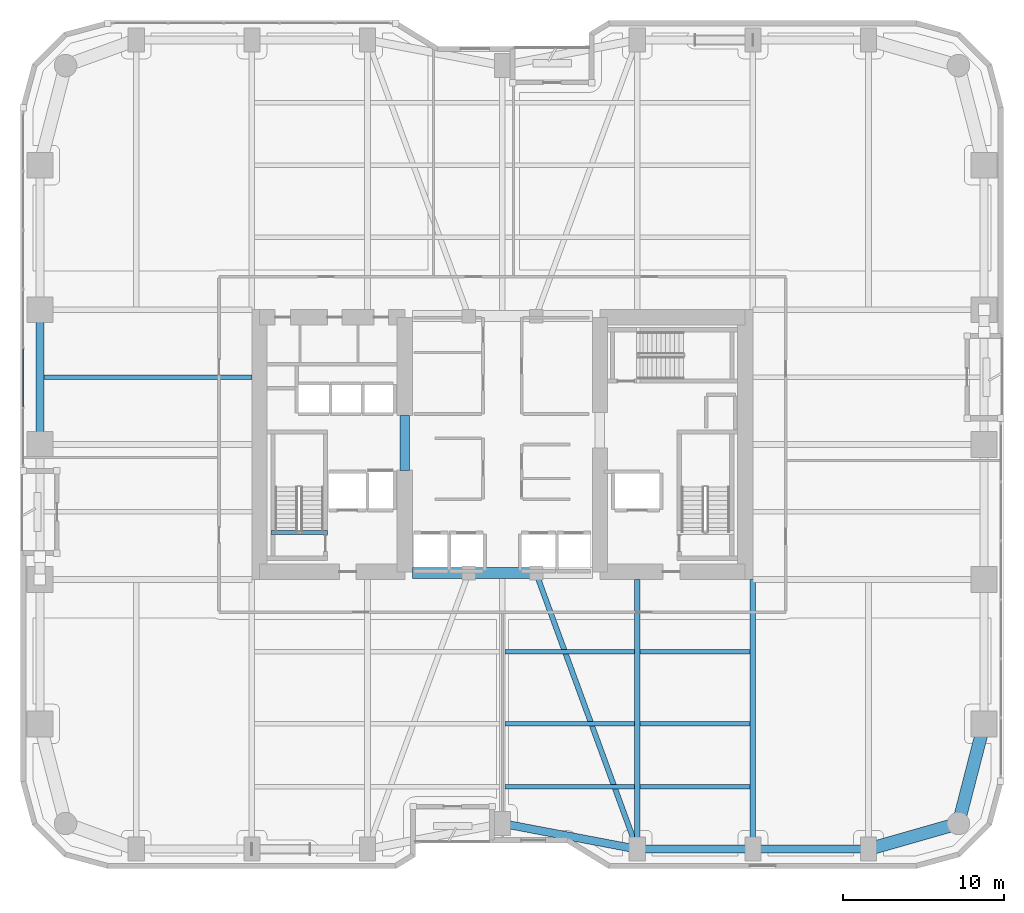
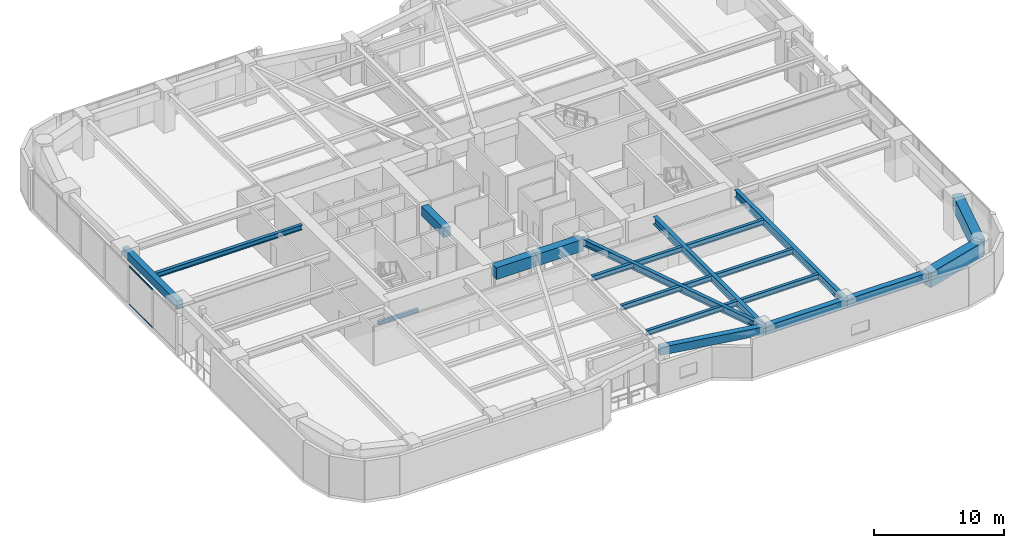
# One storey, part 3 of 29: 20 beams, 2 members, 1 element without a shape of its own.
"""IFC4 building model written with IfcOpenShell, lengths in metres."""

from ifc_helpers import new_model, si_unit, direction, frame, origin, origin_2d, place, context, subcontext, project, spatial, rectangle, hollow_rectangle, i_section, extrude, material, layer, layer_set, material_profile, profile_set, type_object, element, aggregate, save


model = new_model("IFC4")

# Units and contexts
model_context = context("Model", 3, precision=1e-05, world=origin(), true_north=direction((0.0, 1.0)))
body_context = subcontext(model_context, "Body", "Model", "MODEL_VIEW")
ifc_project = project(units=[si_unit("LENGTHUNIT", "METRE"), si_unit("AREAUNIT", "SQUARE_METRE"), si_unit("VOLUMEUNIT", "CUBIC_METRE"), si_unit("PLANEANGLEUNIT", "RADIAN"), si_unit("MASSUNIT", "GRAM", prefix="KILO")], contexts=[model_context])

# Site, building, storey
site_placement = place(None, origin())
site = spatial("IfcSite", under=ifc_project, at=site_placement, CompositionType="ELEMENT")
building_placement = place(site_placement, origin())
building = spatial("IfcBuilding", under=site, at=building_placement, Name="Kiyonajd Concourse Tower", CompositionType="ELEMENT")
storey_placement = place(building_placement, frame((0.0, 0.0, 25.5)))
storey = spatial("IfcBuildingStorey", under=building, at=storey_placement, Name="L07", CompositionType="ELEMENT", Elevation=25.5)

# Beams
ifc_material_1 = material(Name="Concrete C70/85", Category="concrete")
ifc_material_profile_1 = material_profile(ifc_material_1, rectangle(XDim=0.699951171875, YDim=1.10009765625, at=origin_2d()), Name="RCBM-700x1100")
ifc_profile_set_1 = profile_set([ifc_material_profile_1], Name="Concrete C70/85")
beam_type_1 = type_object("IfcBeamType", Name="BM-COUP-1100", PredefinedType="LINTEL", material=ifc_profile_set_1)
beam_1_placement = place(storey_placement, frame((42.39990234375, 28.0, 3.090087890625), z_axis=(1.0, 0.0, 0.0), x_axis=(0.0, 1.0, 0.0)))
element("IfcBeam", 1, at=beam_1_placement, inside=storey, type_object=beam_type_1, Name="L07 Core Coupling Beam S1", PredefinedType="LINTEL", context=body_context, shape_type="SweptSolid", body=[
    extrude(rectangle(XDim=0.699951171875, YDim=1.10009765625, at=origin_2d()), origin(), (0.0, 0.0, 1.0), 3.5),
])
beam_2_placement = place(storey_placement, frame((45.89990234375, 28.0, 3.090087890625), z_axis=(1.0, 0.0, 0.0), x_axis=(0.0, 1.0, 0.0)))
element("IfcBeam", 2, at=beam_2_placement, inside=storey, type_object=beam_type_1, Name="L07 Core Coupling Beam S2", PredefinedType="LINTEL", context=body_context, shape_type="SweptSolid", body=[
    extrude(rectangle(XDim=0.699951171875, YDim=1.10009765625, at=origin_2d()), origin(), (0.0, 0.0, 1.0), 4.2001953125),
])
ifc_material_2 = material(Name="Concrete C60/75", Category="concrete")
ifc_material_profile_2 = material_profile(ifc_material_2, rectangle(XDim=0.60009765625, YDim=0.89990234375, at=origin_2d()), Name="RCBM-600x900")
ifc_profile_set_2 = profile_set([ifc_material_profile_2], Name="Concrete C60/75")
beam_type_2 = type_object("IfcBeamType", Name="BM-COUP-900", PredefinedType="LINTEL", material=ifc_profile_set_2)
beam_3_placement = place(storey_placement, frame((41.925048828125, 34.39990234375, 3.090087890625), z_axis=(0.0, 1.0, 0.0), x_axis=(-1.0, 0.0, 0.0)))
element("IfcBeam", 3, at=beam_3_placement, inside=storey, type_object=beam_type_2, Name="L07 West Core Throat Coupling Lintel", PredefinedType="LINTEL", context=body_context, shape_type="SweptSolid", body=[
    extrude(rectangle(XDim=0.60009765625, YDim=0.89990234375, at=origin_2d()), origin(), (0.0, 0.0, 1.0), 3.400146484375),
])
ifc_material_3 = material(Name="Steel ASTM A992 Grade 50", Category="steel")
ifc_material_profile_3 = material_profile(ifc_material_3, i_section(OverallWidth=0.280029296875, OverallDepth=0.462890625, WebThickness=0.0107421875, FlangeThickness=0.017333984375, at=origin_2d()), Name="W460X113")
ifc_profile_set_3 = profile_set([ifc_material_profile_3], Name="Steel ASTM A992 Grade 50")
beam_type_3 = type_object("IfcBeamType", Name="BM-JST-460A", PredefinedType="JOIST", material=ifc_profile_set_3)
beam_4_placement = place(storey_placement, frame((48.177490234375, 14.699951171875, 3.408447265625), z_axis=(1.0, 0.0, 0.0), x_axis=(0.0, 1.0, 0.0)))
element("IfcBeam", 4, at=beam_4_placement, inside=storey, type_object=beam_type_3, Name="L07 Secondary Floor Joist", PredefinedType="JOIST", context=body_context, shape_type="SweptSolid", body=[
    extrude(i_section(OverallWidth=0.280029296875, OverallDepth=0.462890625, WebThickness=0.0107421875, FlangeThickness=0.017333984375, at=origin_2d()), origin(), (0.0, 0.0, 1.0), 8.044921875),
])
beam_5_placement = place(storey_placement, frame((56.577392578125, 14.699951171875, 3.408447265625), z_axis=(1.0, 0.0, 0.0), x_axis=(0.0, 1.0, 0.0)))
element("IfcBeam", 5, at=beam_5_placement, inside=storey, type_object=beam_type_3, Name="L07 Secondary Floor Joist", PredefinedType="JOIST", context=body_context, shape_type="SweptSolid", body=[
    extrude(i_section(OverallWidth=0.280029296875, OverallDepth=0.462890625, WebThickness=0.0107421875, FlangeThickness=0.017333984375, at=origin_2d()), origin(), (0.0, 0.0, 1.0), 6.84521484375),
])
beam_6_placement = place(storey_placement, frame((48.177490234375, 18.60009765625, 3.408447265625), z_axis=(1.0, 0.0, 0.0), x_axis=(0.0, 1.0, 0.0)))
element("IfcBeam", 6, at=beam_6_placement, inside=storey, type_object=beam_type_3, Name="L07 Secondary Floor Joist", PredefinedType="JOIST", context=body_context, shape_type="SweptSolid", body=[
    extrude(i_section(OverallWidth=0.280029296875, OverallDepth=0.462890625, WebThickness=0.0107421875, FlangeThickness=0.017333984375, at=origin_2d()), origin(), (0.0, 0.0, 1.0), 8.044921875),
])
beam_7_placement = place(storey_placement, frame((56.577392578125, 18.60009765625, 3.408447265625), z_axis=(1.0, 0.0, 0.0), x_axis=(0.0, 1.0, 0.0)))
element("IfcBeam", 7, at=beam_7_placement, inside=storey, type_object=beam_type_3, Name="L07 Secondary Floor Joist", PredefinedType="JOIST", context=body_context, shape_type="SweptSolid", body=[
    extrude(i_section(OverallWidth=0.280029296875, OverallDepth=0.462890625, WebThickness=0.0107421875, FlangeThickness=0.017333984375, at=origin_2d()), origin(), (0.0, 0.0, 1.0), 6.84521484375),
])
beam_8_placement = place(storey_placement, frame((48.177490234375, 23.10009765625, 3.408447265625), z_axis=(1.0, 0.0, 0.0), x_axis=(0.0, 1.0, 0.0)))
element("IfcBeam", 8, at=beam_8_placement, inside=storey, type_object=beam_type_3, Name="L07 Secondary Floor Joist", PredefinedType="JOIST", context=body_context, shape_type="SweptSolid", body=[
    extrude(i_section(OverallWidth=0.280029296875, OverallDepth=0.462890625, WebThickness=0.0107421875, FlangeThickness=0.017333984375, at=origin_2d()), origin(), (0.0, 0.0, 1.0), 8.044921875),
])
beam_9_placement = place(storey_placement, frame((56.577392578125, 23.10009765625, 3.408447265625), z_axis=(1.0, 0.0, 0.0), x_axis=(0.0, 1.0, 0.0)))
element("IfcBeam", 9, at=beam_9_placement, inside=storey, type_object=beam_type_3, Name="L07 Secondary Floor Joist", PredefinedType="JOIST", context=body_context, shape_type="SweptSolid", body=[
    extrude(i_section(OverallWidth=0.280029296875, OverallDepth=0.462890625, WebThickness=0.0107421875, FlangeThickness=0.017333984375, at=origin_2d()), origin(), (0.0, 0.0, 1.0), 6.84521484375),
])
beam_10_placement = place(storey_placement, frame((19.449951171875, 40.199951171875, 3.408447265625), z_axis=(1.0, 0.0, 0.0), x_axis=(0.0, 1.0, 0.0)))
element("IfcBeam", 10, at=beam_10_placement, inside=storey, type_object=beam_type_3, Name="L07 West Secondary Floor Joist", PredefinedType="JOIST", context=body_context, shape_type="SweptSolid", body=[
    extrude(i_section(OverallWidth=0.280029296875, OverallDepth=0.462890625, WebThickness=0.0107421875, FlangeThickness=0.017333984375, at=origin_2d()), origin(), (0.0, 0.0, 1.0), 12.949951171875),
])
ifc_material_4 = material(Name="Concrete C50/60", Category="concrete")
ifc_material_profile_4 = material_profile(ifc_material_4, rectangle(XDim=0.239990234375, YDim=0.320068359375, at=origin_2d()), Name="RCBM-240x320")
ifc_profile_set_4 = profile_set([ifc_material_profile_4], Name="Concrete C50/60")
beam_type_4 = type_object("IfcBeamType", Name="BM-LNT-250", PredefinedType="LINTEL", material=ifc_profile_set_4)
beam_11_placement = place(storey_placement, frame((33.590087890625, 30.530029296875, -0.159912109375), z_axis=(1.0, 0.0, 0.0), x_axis=(0.0, 1.0, 0.0)))
element("IfcBeam", 11, at=beam_11_placement, inside=storey, type_object=beam_type_4, Name="L07 Stair ST1 Threshold Support Beam", PredefinedType="LINTEL", context=body_context, shape_type="SweptSolid", body=[
    extrude(rectangle(XDim=0.239990234375, YDim=0.320068359375, at=origin_2d()), origin(), (0.0, 0.0, 1.0), 3.52001953125),
])
ifc_material_5 = material(Name="Precast concrete C50/60", Category="concrete")
ifc_material_profile_5 = material_profile(ifc_material_5, rectangle(XDim=0.5, YDim=0.75, at=origin_2d()), Name="RCBM-500x750")
ifc_profile_set_5 = profile_set([ifc_material_profile_5], Name="Precast concrete C50/60")
beam_type_5 = type_object("IfcBeamType", Name="BM-SPAN-RC", PredefinedType="SPANDREL", material=ifc_profile_set_5)
beam_12_placement = place(storey_placement, frame((48.0, 12.39990234375, 3.264892578125), z_axis=(0.982341315253, -0.187097675953, 0.0), x_axis=(0.187097675953, 0.982341315253, 0.0)))
element("IfcBeam", 12, at=beam_12_placement, inside=storey, type_object=beam_type_5, Name="L07 Perimeter Bundled Tube Spandrel", PredefinedType="SPANDREL", context=body_context, shape_type="SweptSolid", body=[
    extrude(rectangle(XDim=0.5, YDim=0.75, at=origin_2d()), origin(), (0.0, 0.0, 1.0), 8.55078125),
])
beam_13_placement = place(storey_placement, frame((56.39990234375, 10.800048828125, 3.264892578125), z_axis=(1.0, 0.0, 0.0), x_axis=(0.0, 1.0, 0.0)))
element("IfcBeam", 13, at=beam_13_placement, inside=storey, type_object=beam_type_5, Name="L07 Perimeter Bundled Tube Spandrel", PredefinedType="SPANDREL", context=body_context, shape_type="SweptSolid", body=[
    extrude(rectangle(XDim=0.5, YDim=0.75, at=origin_2d()), origin(), (0.0, 0.0, 1.0), 7.2001953125),
])
beam_14_placement = place(storey_placement, frame((63.60009765625, 10.800048828125, 3.264892578125), z_axis=(1.0, 0.0, 0.0), x_axis=(0.0, 1.0, 0.0)))
element("IfcBeam", 14, at=beam_14_placement, inside=storey, type_object=beam_type_5, Name="L07 Perimeter Bundled Tube Spandrel", PredefinedType="SPANDREL", context=body_context, shape_type="SweptSolid", body=[
    extrude(rectangle(XDim=0.5, YDim=0.75, at=origin_2d()), origin(), (0.0, 0.0, 1.0), 7.199951171875),
])
beam_15_placement = place(storey_placement, frame((19.199951171875, 44.39990234375, 3.264892578125), z_axis=(0.0, -1.0, 0.0), x_axis=(1.0, 0.0, 0.0)))
element("IfcBeam", 15, at=beam_15_placement, inside=storey, type_object=beam_type_5, Name="L07 Perimeter Bundled Tube Spandrel", PredefinedType="SPANDREL", context=body_context, shape_type="SweptSolid", body=[
    extrude(rectangle(XDim=0.5, YDim=0.75, at=origin_2d()), origin(), (0.0, 0.0, 1.0), 8.39990234375),
])
ifc_material_profile_6 = material_profile(ifc_material_3, i_section(OverallWidth=0.326904296875, OverallDepth=0.6220703125, WebThickness=0.015380859375, FlangeThickness=0.0244140625, at=origin_2d()), Name="W610X195")
ifc_profile_set_6 = profile_set([ifc_material_profile_6], Name="Steel ASTM A992 Grade 50")
beam_type_6 = type_object("IfcBeamType", Name="BM-TWR-610A", PredefinedType="BEAM", material=ifc_profile_set_6)
beam_16_placement = place(storey_placement, frame((50.10009765625, 28.0, 3.3291015625), z_axis=(0.343925269715, -0.938997022813, 0.0), x_axis=(0.938997022813, 0.343925269715, 0.0)))
element("IfcBeam", 16, at=beam_16_placement, inside=storey, type_object=beam_type_6, Name="L07 Core Tie Girder", PredefinedType="BEAM", context=body_context, shape_type="SweptSolid", body=[
    extrude(i_section(OverallWidth=0.326904296875, OverallDepth=0.6220703125, WebThickness=0.015380859375, FlangeThickness=0.0244140625, at=origin_2d()), origin(), (0.0, 0.0, 1.0), 18.3173828125),
])
ifc_material_profile_7 = material_profile(ifc_material_3, i_section(OverallWidth=0.35498046875, OverallDepth=0.695068359375, WebThickness=0.015380859375, FlangeThickness=0.02490234375, at=origin_2d()), Name="W690X217")
ifc_profile_set_7 = profile_set([ifc_material_profile_7], Name="Steel ASTM A992 Grade 50")
beam_type_7 = type_object("IfcBeamType", Name="BM-TWR-690", PredefinedType="BEAM", material=ifc_profile_set_7)
for number, where, z_axis, x_axis, name in (
    (17, (56.39990234375, 10.800048828125, 3.29248046875), (0.0, 1.0, 0.0), (-1.0, 0.0, 0.0), "L07 South Lease Girder"),
    (18, (63.60009765625, 10.800048828125, 3.29248046875), (0.0, 1.0, 0.0), (-1.0, 0.0, 0.0), "L07 South Lease Girder"),
):
    element("IfcBeam", number, at=place(storey_placement, frame(where, z_axis=z_axis, x_axis=x_axis)), inside=storey, type_object=beam_type_7, Name=name, PredefinedType="BEAM", context=body_context, shape_type="SweptSolid", body=[
        extrude(i_section(OverallWidth=0.35498046875, OverallDepth=0.695068359375, WebThickness=0.015380859375, FlangeThickness=0.02490234375, at=origin_2d()), origin(), (0.0, 0.0, 1.0), 16.800048828125),
    ])
ifc_material_profile_8 = material_profile(ifc_material_2, rectangle(XDim=0.800048828125, YDim=1.39990234375, at=origin_2d()), Name="RCBM-800x1400")
ifc_profile_set_8 = profile_set([ifc_material_profile_8], Name="Concrete C60/75")
beam_type_8 = type_object("IfcBeamType", Name="BM-XFER-RC", PredefinedType="BEAM", material=ifc_profile_set_8)
beam_17_placement = place(storey_placement, frame((70.800048828125, 10.800048828125, 2.93994140625), z_axis=(0.961528693205, 0.274704517878, 0.0), x_axis=(-0.274704517878, 0.961528693205, 0.0)))
element("IfcBeam", 19, at=beam_17_placement, inside=storey, type_object=beam_type_8, Name="L07 Perimeter Bundled Tube Spandrel", PredefinedType="BEAM", context=body_context, shape_type="SweptSolid", body=[
    extrude(rectangle(XDim=0.800048828125, YDim=1.39990234375, at=origin_2d()), origin(), (0.0, 0.0, 1.0), 5.823974609375),
])
beam_18_placement = place(storey_placement, frame((76.39990234375, 12.39990234375, 2.93994140625), z_axis=(0.249884937687, 0.968275538221, 0.0), x_axis=(-0.968275538221, 0.249884937687, 0.0)))
element("IfcBeam", 20, at=beam_18_placement, inside=storey, type_object=beam_type_8, Name="L07 Perimeter Bundled Tube Spandrel", PredefinedType="BEAM", context=body_context, shape_type="SweptSolid", body=[
    extrude(rectangle(XDim=0.800048828125, YDim=1.39990234375, at=origin_2d()), origin(), (0.0, 0.0, 1.0), 6.4033203125),
])

# Curtain wall, members
ifc_material_6 = material(Name="Thermally Broken Anodised Aluminium", Category="aluminium")
ifc_layer = layer(ifc_material_6, 0.179931640625)
ifc_layer_set = layer_set([ifc_layer], Name="Thermally Broken Anodised Aluminium")
curtain_wall_type = type_object("IfcCurtainWallType", Name="CW-SYS-02", PredefinedType="NOTDEFINED", material=ifc_layer_set)
curtain_wall_placement = place(storey_placement, origin())
curtain_wall = element("IfcCurtainWall", 21, at=curtain_wall_placement, inside=storey, type_object=curtain_wall_type, Name="L07 Unitised Curtain Wall CW2", PredefinedType="NOTDEFINED")
ifc_material_profile_9 = material_profile(ifc_material_6, hollow_rectangle(XDim=0.06494140625, YDim=0.139892578125, WallThickness=0.00390625, at=origin_2d()), Name="TRAN-65x140")
ifc_profile_set_9 = profile_set([ifc_material_profile_9], Name="Thermally Broken Anodised Aluminium")
member_type = type_object("IfcMemberType", Name="MB-CW-TRAN1", PredefinedType="USERDEFINED", material=ifc_profile_set_9)
member_1_placement = place(storey_placement, frame((18.159912109375, 38.355712890625, 0.032470703125), z_axis=(0.0, 1.0, 0.0), x_axis=(-1.0, 0.0, 0.0)))
member_1 = element("IfcMember", 22, at=member_1_placement, type_object=member_type, Name="CW2 transom 2.1", ObjectType="TRANSOM", PredefinedType="USERDEFINED", context=body_context, shape_type="SweptSolid", body=[
    extrude(hollow_rectangle(XDim=0.06494140625, YDim=0.139892578125, WallThickness=0.00390625, at=origin_2d()), origin(), (0.0, 0.0, 1.0), 3.608154296875),
])
member_2_placement = place(storey_placement, frame((18.159912109375, 38.355712890625, 3.607421875), z_axis=(0.0, 1.0, 0.0), x_axis=(-1.0, 0.0, 0.0)))
member_2 = element("IfcMember", 23, at=member_2_placement, type_object=member_type, Name="CW2 transom 2.2", ObjectType="TRANSOM", PredefinedType="USERDEFINED", context=body_context, shape_type="SweptSolid", body=[
    extrude(hollow_rectangle(XDim=0.06494140625, YDim=0.139892578125, WallThickness=0.00390625, at=origin_2d()), origin(), (0.0, 0.0, 1.0), 3.608154296875),
])
aggregate(curtain_wall, [member_1, member_2])

save(model, "model.ifc")
